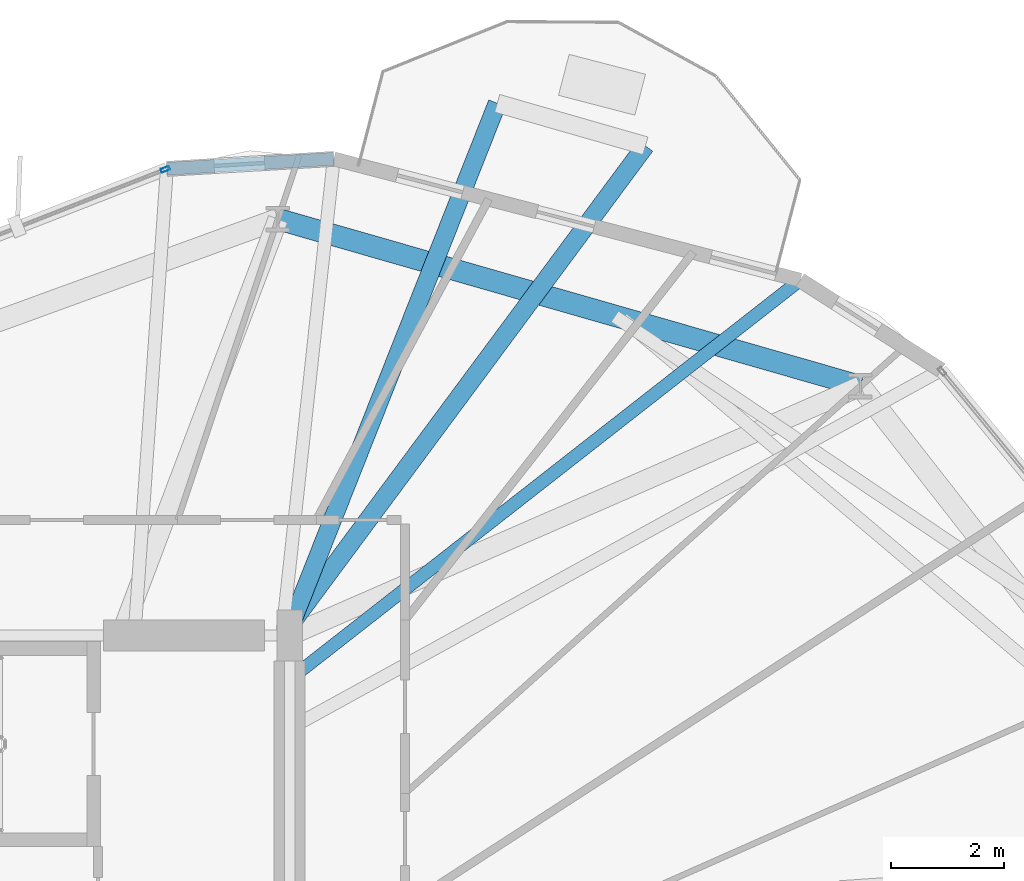
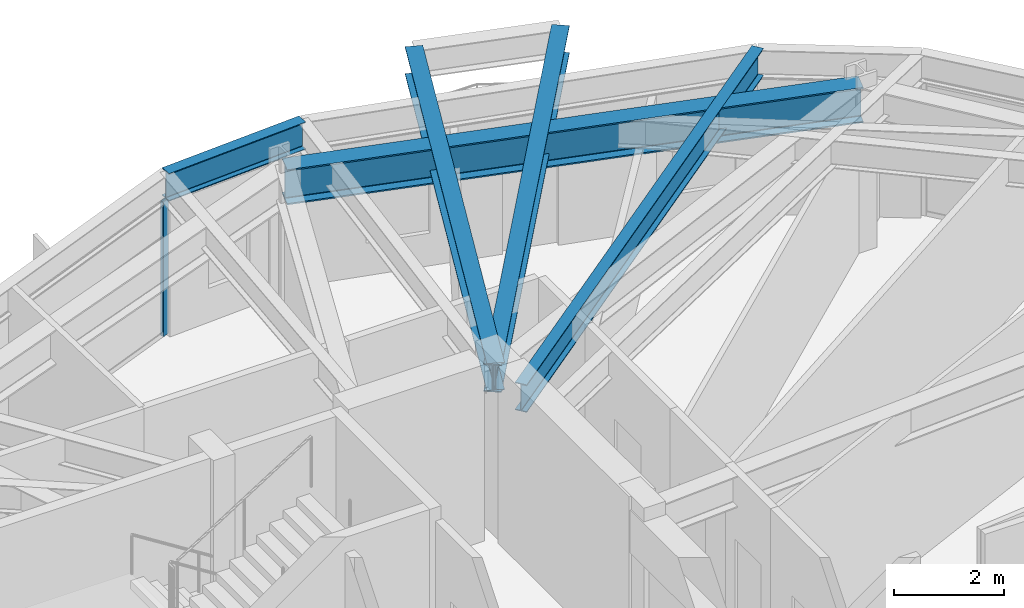
# One storey, part 14 of 22: 5 beams, 1 member, 1 element without a shape of its own.
"""IFC4 building model written with IfcOpenShell, lengths in metres."""

from ifc_helpers import new_model, si_unit, direction, frame, origin, origin_2d, place, context, subcontext, project, spatial, hollow_rectangle, i_section, extrude, material, layer, layer_set, material_profile, profile_set, type_object, element, aggregate, save


model = new_model("IFC4")

# Units and contexts
model_context = context("Model", 3, precision=1e-05, world=origin(), true_north=direction((0.0, 1.0)))
body_context = subcontext(model_context, "Body", "Model", "MODEL_VIEW")
ifc_project = project(units=[si_unit("LENGTHUNIT", "METRE"), si_unit("AREAUNIT", "SQUARE_METRE"), si_unit("VOLUMEUNIT", "CUBIC_METRE"), si_unit("PLANEANGLEUNIT", "RADIAN"), si_unit("MASSUNIT", "GRAM", prefix="KILO")], contexts=[model_context])

# Site, building, storey
site_placement = place(None, origin())
site = spatial("IfcSite", under=ifc_project, at=site_placement, CompositionType="ELEMENT")
building_placement = place(site_placement, origin())
building = spatial("IfcBuilding", under=site, at=building_placement, Name="Soratama Intermodal Tower", CompositionType="ELEMENT")
storey_placement = place(building_placement, frame((0.0, 0.0, 110.800048828125)))
storey = spatial("IfcBuildingStorey", under=building, at=storey_placement, Name="L26", CompositionType="ELEMENT", Elevation=110.800048828125)

# Beams
ifc_material_1 = material(Name="Structural steel ASTM A992 Grade 50", Category="steel")
ifc_material_profile_1 = material_profile(ifc_material_1, i_section(OverallWidth=0.324951171875, OverallDepth=0.615966796875, WebThickness=0.013916015625, FlangeThickness=0.021484375, FilletRadius=0.013916015625, at=origin_2d()), Name="W24X117")
ifc_profile_set_1 = profile_set([ifc_material_profile_1], Name="Structural steel ASTM A992 Grade 50")
beam_type_1 = type_object("IfcBeamType", Name="BM-CANT-W24X117", PredefinedType="BEAM", material=ifc_profile_set_1)
beam_1_placement = place(storey_placement, frame((44.492919921875, 35.031982421875, 3.2919921875), z_axis=(0.595595265334, 0.803284681736, 0.0), x_axis=(-0.803284681736, 0.595595265334, 0.0)))
element("IfcBeam", 1, at=beam_1_placement, inside=storey, type_object=beam_type_1, Name="BM-L26-CANT-1-1", PredefinedType="BEAM", context=body_context, shape_type="SweptSolid", body=[
    extrude(i_section(OverallWidth=0.324951171875, OverallDepth=0.615966796875, WebThickness=0.013916015625, FlangeThickness=0.021484375, FilletRadius=0.013916015625, at=origin_2d()), origin(), (0.0, 0.0, 1.0), 10.779296875),
])
beam_2_placement = place(storey_placement, frame((44.56201171875, 35.037109375, 3.2919921875), z_axis=(0.367872421643, 0.929876272089, 0.0), x_axis=(-0.929876272089, 0.367872421643, 0.0)))
element("IfcBeam", 2, at=beam_2_placement, inside=storey, type_object=beam_type_1, Name="BM-L26-CANT-1-2", PredefinedType="BEAM", context=body_context, shape_type="SweptSolid", body=[
    extrude(i_section(OverallWidth=0.324951171875, OverallDepth=0.615966796875, WebThickness=0.013916015625, FlangeThickness=0.021484375, FilletRadius=0.013916015625, at=origin_2d()), origin(), (0.0, 0.0, 1.0), 10.117431640625),
])
ifc_material_2 = material(Name="Structural steel ASTM A992 Grade 50", Category="steel")
ifc_material_profile_2 = material_profile(ifc_material_2, i_section(OverallWidth=0.382080078125, OverallDepth=0.779052734375, WebThickness=0.01806640625, FlangeThickness=0.030029296875, FilletRadius=0.01806640625, at=origin_2d()), Name="W30X191")
ifc_profile_set_2 = profile_set([ifc_material_profile_2], Name="Structural steel ASTM A992 Grade 50")
beam_type_2 = type_object("IfcBeamType", Name="BM-RING-W30X191", PredefinedType="BEAM", material=ifc_profile_set_2)
beam_3_placement = place(storey_placement, frame((54.72998046875, 39.425048828125, 3.21044921875), z_axis=(-0.961266505995, 0.275620580604, 0.0), x_axis=(-0.275620580604, -0.961266505995, 0.0)))
element("IfcBeam", 3, at=beam_3_placement, inside=storey, type_object=beam_type_2, Name="BM-L26-RING-02", PredefinedType="BEAM", context=body_context, shape_type="SweptSolid", body=[
    extrude(i_section(OverallWidth=0.382080078125, OverallDepth=0.779052734375, WebThickness=0.01806640625, FlangeThickness=0.030029296875, FilletRadius=0.01806640625, at=origin_2d()), origin(), (0.0, 0.0, 1.0), 10.75341796875),
])
ifc_material_3 = material(Name="Structural steel ASTM A992 Grade 50", Category="steel")
ifc_material_profile_3 = material_profile(ifc_material_3, i_section(OverallWidth=0.22900390625, OverallDepth=0.612060546875, WebThickness=0.011962890625, FlangeThickness=0.01953125, FilletRadius=0.012939453125, at=origin_2d()), Name="W24X84")
ifc_profile_set_3 = profile_set([ifc_material_profile_3], Name="Structural steel ASTM A992 Grade 50")
beam_type_3 = type_object("IfcBeamType", Name="BM-SPN-W24X84", PredefinedType="SPANDREL", material=ifc_profile_set_3)
beam_4_placement = place(storey_placement, frame((45.383056640625, 43.4599609375, 3.2939453125), z_axis=(-0.998219473234, -0.059647994568, 0.0), x_axis=(0.059647994568, -0.998219473234, 0.0)))
element("IfcBeam", 4, at=beam_4_placement, inside=storey, type_object=beam_type_3, Name="BS-L26-CRN02", PredefinedType="SPANDREL", context=body_context, shape_type="SweptSolid", body=[
    extrude(i_section(OverallWidth=0.22900390625, OverallDepth=0.612060546875, WebThickness=0.011962890625, FlangeThickness=0.01953125, FilletRadius=0.012939453125, at=origin_2d()), origin(), (0.0, 0.0, 1.0), 2.967529296875),
])
ifc_material_4 = material(Name="Structural steel ASTM A992 Grade 50", Category="steel")
ifc_material_profile_4 = material_profile(ifc_material_4, i_section(OverallWidth=0.22900390625, OverallDepth=0.612060546875, WebThickness=0.011962890625, FlangeThickness=0.01953125, FilletRadius=0.012939453125, at=origin_2d()), Name="W24X84")
ifc_profile_set_4 = profile_set([ifc_material_profile_4], Name="Structural steel ASTM A992 Grade 50")
beam_type_4 = type_object("IfcBeamType", Name="BM-TIE-W24X84", PredefinedType="BEAM", material=ifc_profile_set_4)
beam_5_placement = place(storey_placement, frame((44.632080078125, 34.24609375, 3.2939453125), z_axis=(0.787694206873, 0.616066422115, 0.0), x_axis=(-0.616066422115, 0.787694206873, 0.0)))
element("IfcBeam", 5, at=beam_5_placement, inside=storey, type_object=beam_type_4, Name="BM-L26-TIE0-02", PredefinedType="BEAM", context=body_context, shape_type="SweptSolid", body=[
    extrude(i_section(OverallWidth=0.22900390625, OverallDepth=0.612060546875, WebThickness=0.011962890625, FlangeThickness=0.01953125, FilletRadius=0.012939453125, at=origin_2d()), origin(), (0.0, 0.0, 1.0), 11.461181640625),
])

# Curtain wall, member
ifc_material_5 = material(Name="Double-glazed aluminium curtain wall", Category="aluminium")
ifc_layer = layer(ifc_material_5, 0.159912109375)
ifc_layer_set = layer_set([ifc_layer], Name="Double-glazed aluminium curtain wall")
curtain_wall_type = type_object("IfcCurtainWallType", Name="CW-SYS-3", PredefinedType="NOTDEFINED", material=ifc_layer_set)
curtain_wall_placement = place(storey_placement, origin())
curtain_wall = element("IfcCurtainWall", 6, at=curtain_wall_placement, inside=storey, type_object=curtain_wall_type, Name="L26 Faceted Curtain Wall F03", PredefinedType="NOTDEFINED")
ifc_material_6 = material(Name="Anodised aluminium AA 6063-T6", Category="aluminium")
ifc_material_profile_5 = material_profile(ifc_material_6, hollow_rectangle(XDim=0.070068359375, YDim=0.159912109375, WallThickness=0.0048828125, InnerFilletRadius=0.0048828125, OuterFilletRadius=0.010009765625, at=origin_2d()), Name="CWM160X70X5")
ifc_profile_set_5 = profile_set([ifc_material_profile_5], Name="Anodised aluminium AA 6063-T6")
member_type = type_object("IfcMemberType", Name="MT-CWM-3", PredefinedType="MULLION", material=ifc_profile_set_5)
member_placement = place(storey_placement, frame((42.3935546875, 43.2724609375, 0.0), z_axis=(0.0, 0.0, 1.0), x_axis=(0.36520813039, -0.93092589474, 0.0)))
member = element("IfcMember", 7, at=member_placement, type_object=member_type, Name="CW-3 mullion 1", PredefinedType="MULLION", context=body_context, shape_type="SweptSolid", body=[
    extrude(hollow_rectangle(XDim=0.070068359375, YDim=0.159912109375, WallThickness=0.0048828125, InnerFilletRadius=0.0048828125, OuterFilletRadius=0.010009765625, at=origin_2d()), origin(), (0.0, 0.0, 1.0), 2.97900390625),
])
aggregate(curtain_wall, [member])

save(model, "model.ifc")
